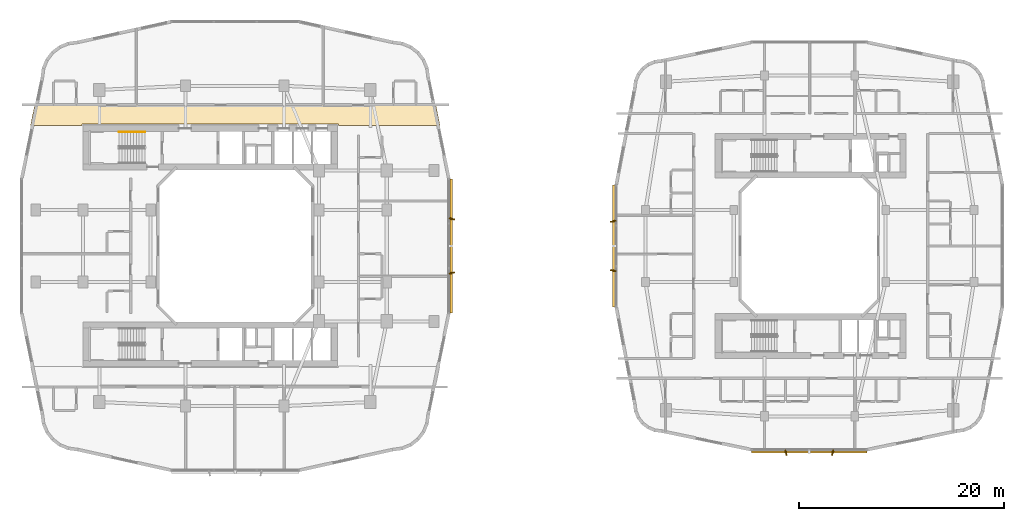
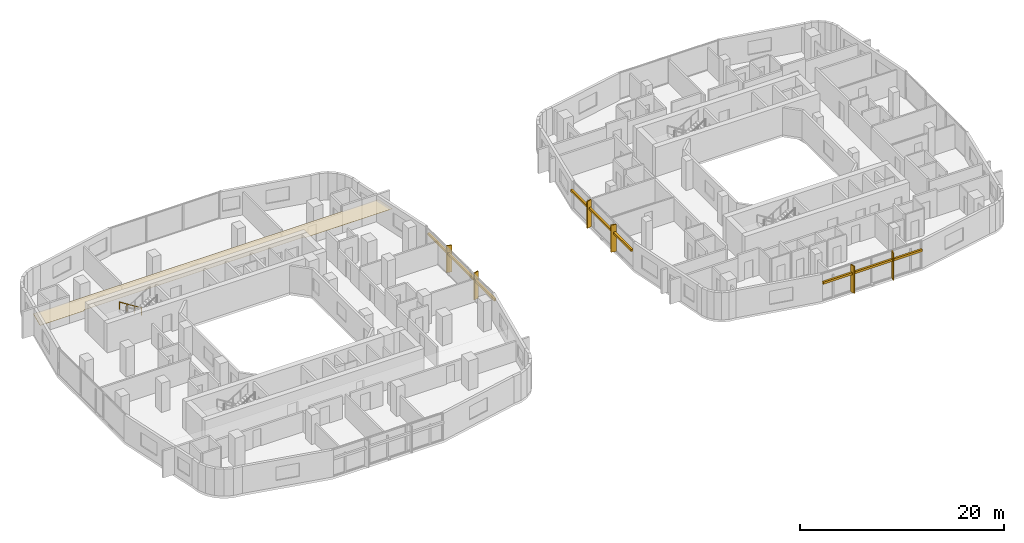
# One storey, part 25 of 26: 9 shading devices, 1 covering, 1 railing.
"""IFC4 building model written with IfcOpenShell, lengths in metres."""

from ifc_helpers import new_model, si_unit, derived_unit, direction, frame, origin, origin_2d, place, context, subcontext, project, spatial, polyline, rectangle, circle, outline, extrude, material, layer, layer_set, type_object, element, save


model = new_model("IFC4")

# Units and contexts
model_context = context("Model", 3, precision=1e-05, world=origin(), true_north=direction((0.0, 1.0)))
body_context = subcontext(model_context, "Body", "Model", "MODEL_VIEW")
ifc_project = project(units=[si_unit("LENGTHUNIT", "METRE"), si_unit("AREAUNIT", "SQUARE_METRE"), si_unit("VOLUMEUNIT", "CUBIC_METRE"), si_unit("PLANEANGLEUNIT", "RADIAN"), si_unit("MASSUNIT", "GRAM", prefix="KILO"), derived_unit("THERMALTRANSMITTANCEUNIT", [(si_unit("POWERUNIT", "WATT"), 1), (si_unit("LENGTHUNIT", "METRE"), -2), (si_unit("THERMODYNAMICTEMPERATUREUNIT", "KELVIN"), -1)])], contexts=[model_context])

# Site, building, storey
site_placement = place(None, origin())
site = spatial("IfcSite", under=ifc_project, at=site_placement, CompositionType="ELEMENT")
building_placement = place(site_placement, origin())
building = spatial("IfcBuilding", under=site, at=building_placement, Name="Kivonza Crest Hotel", CompositionType="ELEMENT")
storey_placement = place(building_placement, frame((0.0, 0.0, 52.0)))
storey = spatial("IfcBuildingStorey", under=building, at=storey_placement, Name="L13", CompositionType="ELEMENT", Elevation=52.0)

# Covering
ifc_material_1 = material(Name="Mineral-fibre acoustic ceiling tile", Category="gypsum")
ifc_layer = layer(ifc_material_1, 0.02490234375)
ifc_layer_set = layer_set([ifc_layer], Name="Mineral-fibre acoustic ceiling tile")
covering_type = type_object("IfcCoveringType", Name="CV-CEIL-ACOU", PredefinedType="CEILING", material=ifc_layer_set)
covering_placement = place(storey_placement, frame((0.0, 0.0, 2.449951171875)))
element("IfcCovering", 1, at=covering_placement, inside=storey, type_object=covering_type, Name="L13 Hotel North Guest Corridor suspended ceiling", PredefinedType="CEILING", context=body_context, shape_type="SweptSolid", body=[
    extrude(outline(polyline([(1.506103515625, 38.7900390625), (1.083984375, 36.719970703125), (6.10009765625, 36.719970703125), (6.10009765625, 36.860107421875), (31.10009765625, 36.860107421875), (31.10009765625, 36.719970703125), (40.99609375, 36.719970703125), (40.573974609375, 38.7900390625), (1.506103515625, 38.7900390625)])), origin(), (0.0, 0.0, 1.0), 0.025146484375),
])

# Railing
ifc_material_2 = material(Name="Brushed stainless steel handrail", Category="steel")
railing_type = type_object("IfcRailingType", Name="RL-HAND-900", PredefinedType="HANDRAIL", material=ifc_material_2)
railing_placement = place(storey_placement, frame((12.239990234375, 36.110107421875, 0.175048828125)))
element("IfcRailing", 2, at=railing_placement, inside=storey, type_object=railing_type, Name="L13 ST-T1-N stair handrail 1", PredefinedType="HANDRAIL", context=body_context, shape_type="SweptSolid", body=[
    extrude(circle(Radius=0.02392578125, at=origin_2d()), frame((0.0, 0.0, 0.8759765625), z_axis=(-0.848007534815, 0.0, 0.529984170421), x_axis=(0.0, -1.0, 0.0)), (0.0, 0.0, 1.0), 2.9716796875),
    extrude(circle(Radius=0.02099609375, at=origin_2d()), origin(), (0.0, 0.0, 1.0), 0.851806640625),
    extrude(circle(Radius=0.02099609375, at=origin_2d()), frame((-0.840087890625, 0.0, 0.52490234375)), (0.0, 0.0, 1.0), 0.851806640625),
    extrude(circle(Radius=0.02099609375, at=origin_2d()), frame((-1.679931640625, 0.0, 1.050048828125)), (0.0, 0.0, 1.0), 0.851806640625),
    extrude(circle(Radius=0.02099609375, at=origin_2d()), frame((-2.52001953125, 0.0, 1.574951171875)), (0.0, 0.0, 1.0), 0.851806640625),
])

# Shading devices
ifc_material_3 = material(Name="Kiln-fired Nairobi red-ochre terracotta", Category="masonry")
shading_device_type_1 = type_object("IfcShadingDeviceType", Name="SH-BAGUETTE-300", PredefinedType="USERDEFINED", material=ifc_material_3)
shading_device_1_placement = place(storey_placement, frame((42.080078125, 25.0, 2.1240234375), z_axis=(0.0, 0.0, 1.0), x_axis=(0.0, 1.0, 0.0)))
element("IfcShadingDevice", 3, at=shading_device_1_placement, inside=storey, type_object=shading_device_type_1, Name="L13 terracotta baguette screen CW-T1-L13-17", ObjectType="BAGUETTE", PredefinedType="USERDEFINED", context=body_context, shape_type="SweptSolid", body=[
    extrude(rectangle(XDim=13.080078125, YDim=0.219970703125, at=origin_2d()), origin(), (0.0, 0.0, 1.0), 0.260009765625),
])
shading_device_2_placement = place(storey_placement, frame((76.9599609375, 4.919921875, 2.14501953125), z_axis=(0.0, 0.0, 1.0), x_axis=(1.0, 0.0, 0.0)))
element("IfcShadingDevice", 4, at=shading_device_2_placement, inside=storey, type_object=shading_device_type_1, Name="L13 terracotta baguette screen CW-T2-L13-08", ObjectType="BAGUETTE", PredefinedType="USERDEFINED", context=body_context, shape_type="SweptSolid", body=[
    extrude(rectangle(XDim=11.256103515625, YDim=0.219970703125, at=origin_2d()), origin(), (0.0, 0.0, 1.0), 0.260009765625),
])
shading_device_3_placement = place(storey_placement, frame((57.919921875, 25.0, 2.14501953125), z_axis=(0.0, 0.0, 1.0), x_axis=(0.0, -1.0, 0.0)))
element("IfcShadingDevice", 5, at=shading_device_3_placement, inside=storey, type_object=shading_device_type_1, Name="L13 terracotta baguette screen CW-T2-L13-35", ObjectType="BAGUETTE", PredefinedType="USERDEFINED", context=body_context, shape_type="SweptSolid", body=[
    extrude(rectangle(XDim=11.8798828125, YDim=0.219970703125, at=origin_2d()), origin(), (0.0, 0.0, 1.0), 0.260009765625),
])
ifc_material_4 = material(Name="Kiln-fired terracotta over extruded aluminium spine", Category="masonry")
shading_device_type_2 = type_object("IfcShadingDeviceType", Name="SH-FIN-550", PredefinedType="USERDEFINED", material=ifc_material_4)
for number, where, z_axis, x_axis, name in (
    (6, (42.139892578125, 22.360107421875, 0.0), (0.0, 0.0, 1.0), (-0.2419218956, 0.970295726276, 0.0), "L13 vertical solar shading fin CW-T1-L13-17-1"),
    (7, (42.139892578125, 27.639892578125, 0.0), (0.0, 0.0, 1.0), (0.2419218956, 0.970295726276, 0.0), "L13 vertical solar shading fin CW-T1-L13-17-2"),
):
    element("IfcShadingDevice", number, at=place(storey_placement, frame(where, z_axis=z_axis, x_axis=x_axis)), inside=storey, type_object=shading_device_type_2, Name=name, ObjectType="FIN", PredefinedType="USERDEFINED", context=body_context, shape_type="SweptSolid", body=[
        extrude(rectangle(XDim=0.1201171875, YDim=0.550048828125, at=origin_2d()), origin(), (0.0, 0.0, 1.0), 3.219970703125),
    ])
for number, where, z_axis, x_axis, name in (
    (8, (74.68505859375, 4.860107421875, 0.0), (0.0, 0.0, 1.0), (0.970295726276, 0.2419218956, 0.0), "L13 vertical solar shading fin CW-T2-L13-08-1"),
    (9, (79.235107421875, 4.860107421875, 0.0), (0.0, 0.0, 1.0), (0.970295726276, -0.2419218956, 0.0), "L13 vertical solar shading fin CW-T2-L13-08-2"),
    (10, (57.860107421875, 27.39990234375, 0.0), (0.0, 0.0, 1.0), (0.2419218956, -0.970295726276, 0.0), "L13 vertical solar shading fin CW-T2-L13-35-1"),
    (11, (57.860107421875, 22.60009765625, 0.0), (0.0, 0.0, 1.0), (-0.2419218956, -0.970295726276, 0.0), "L13 vertical solar shading fin CW-T2-L13-35-2"),
):
    element("IfcShadingDevice", number, at=place(storey_placement, frame(where, z_axis=z_axis, x_axis=x_axis)), inside=storey, type_object=shading_device_type_2, Name=name, ObjectType="FIN", PredefinedType="USERDEFINED", context=body_context, shape_type="SweptSolid", body=[
        extrude(rectangle(XDim=0.1201171875, YDim=0.550048828125, at=origin_2d()), origin(), (0.0, 0.0, 1.0), 3.25),
    ])

save(model, "model.ifc")
